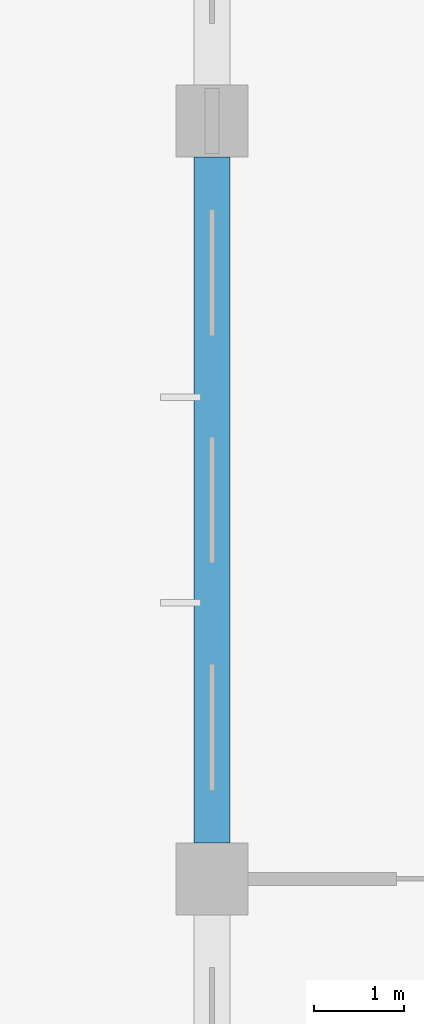
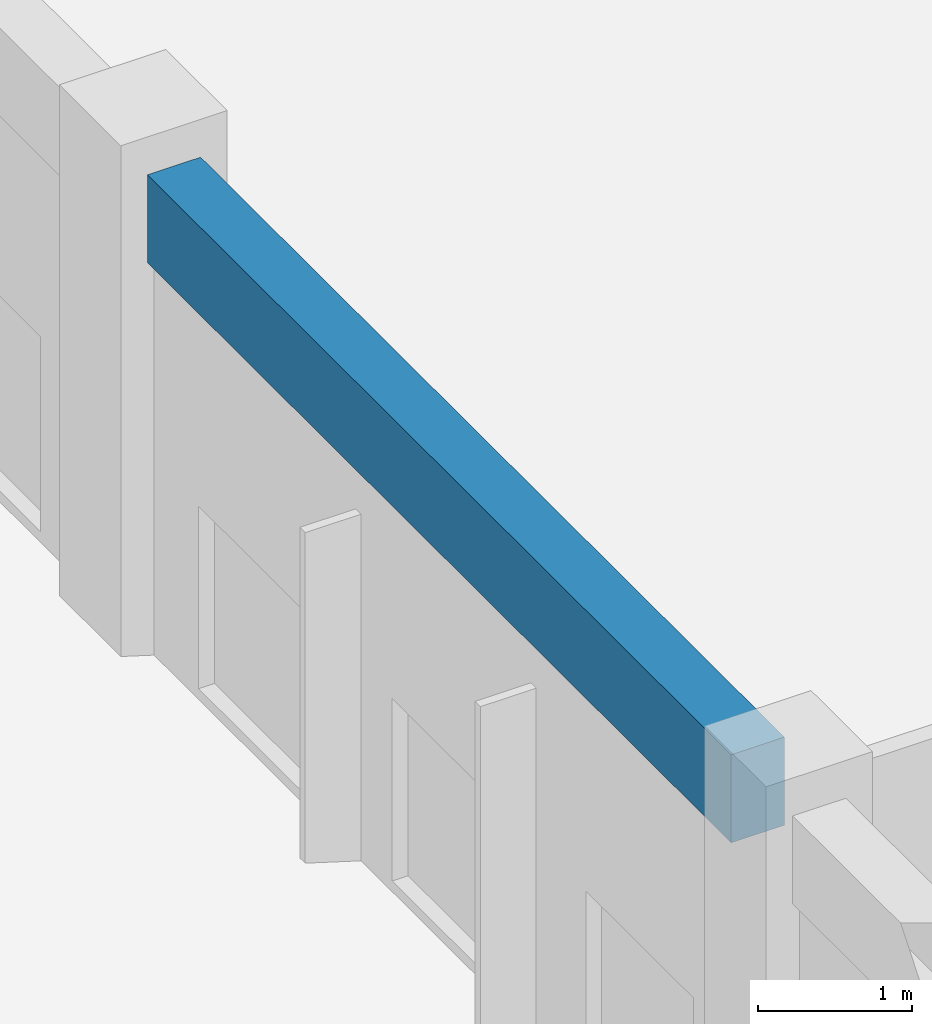
# One storey, part 10 of 62: 1 beam.
"""IFC4 building model written with IfcOpenShell, lengths in metres."""

from ifc_helpers import new_model, si_unit, direction, frame, origin, origin_2d, place, context, subcontext, project, spatial, rectangle, extrude, material, material_profile, profile_set, type_object, element, save


model = new_model("IFC4")

# Units and contexts
model_context = context("Model", 3, precision=1e-05, world=origin(), true_north=direction((0.0, 1.0)))
body_context = subcontext(model_context, "Body", "Model", "MODEL_VIEW")
ifc_project = project(units=[si_unit("LENGTHUNIT", "METRE"), si_unit("AREAUNIT", "SQUARE_METRE"), si_unit("VOLUMEUNIT", "CUBIC_METRE"), si_unit("PLANEANGLEUNIT", "RADIAN"), si_unit("MASSUNIT", "GRAM", prefix="KILO"), si_unit("THERMODYNAMICTEMPERATUREUNIT", "KELVIN"), si_unit("POWERUNIT", "WATT")], contexts=[model_context])

# Site, building, storey
site_placement = place(None, origin())
site = spatial("IfcSite", under=ifc_project, at=site_placement, CompositionType="ELEMENT")
building_placement = place(site_placement, origin())
building = spatial("IfcBuilding", under=site, at=building_placement, Name="Srebrne Nadtorze General Hospital", CompositionType="ELEMENT")
storey_placement = place(building_placement, frame((0.0, 0.0, 9.60009765625)))
storey = spatial("IfcBuildingStorey", under=building, at=storey_placement, Name="L02", CompositionType="ELEMENT", Elevation=9.60009765625)

# Beam
ifc_material = material(Name="Concrete C40/50", Category="concrete")
ifc_material_profile = material_profile(ifc_material, rectangle(XDim=0.39990234375, YDim=0.699951171875, at=origin_2d()), Name="RC-BM-400x700")
ifc_profile_set = profile_set([ifc_material_profile], Name="Concrete C40/50")
beam_type = type_object("IfcBeamType", Name="Edge beam RC 400x700", PredefinedType="BEAM", material=ifc_profile_set)
beam_placement = place(storey_placement, frame((101.39990234375, 8.800048828125, 4.14990234375), z_axis=(0.0, 1.0, 0.0), x_axis=(-1.0, 0.0, 0.0)))
element("IfcBeam", 1, at=beam_placement, inside=storey, type_object=beam_type, Name="Beam BM-L02-Y-0673", PredefinedType="BEAM", context=body_context, shape_type="SweptSolid", body=[
    extrude(rectangle(XDim=0.39990234375, YDim=0.699951171875, at=origin_2d()), origin(), (0.0, 0.0, 1.0), 7.599853515625),
])

save(model, "model.ifc")
